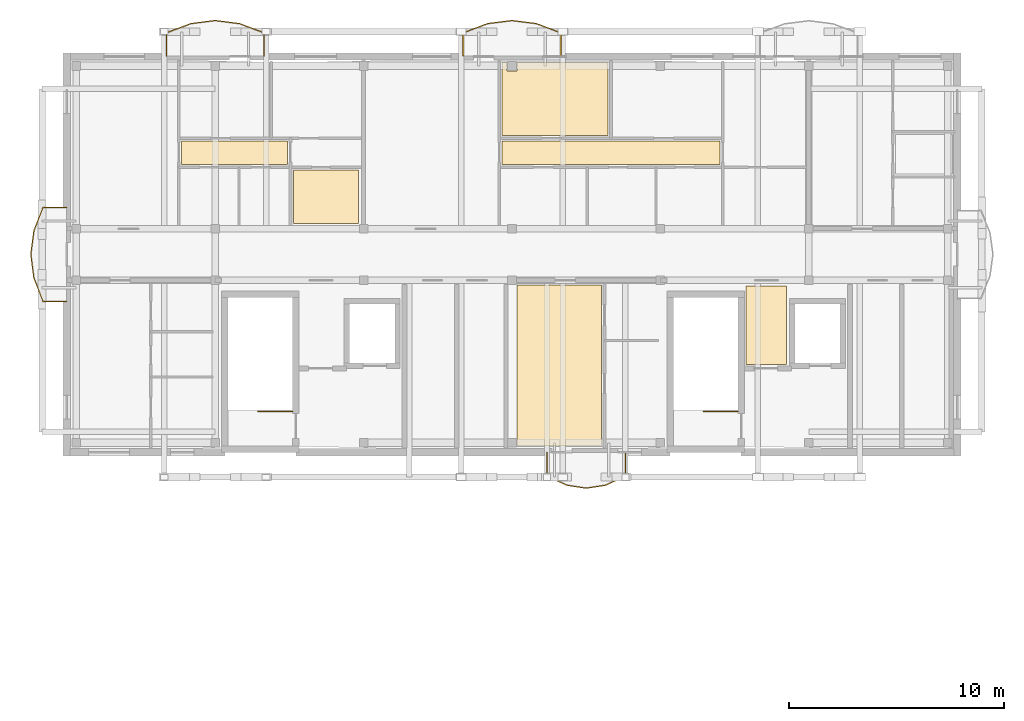
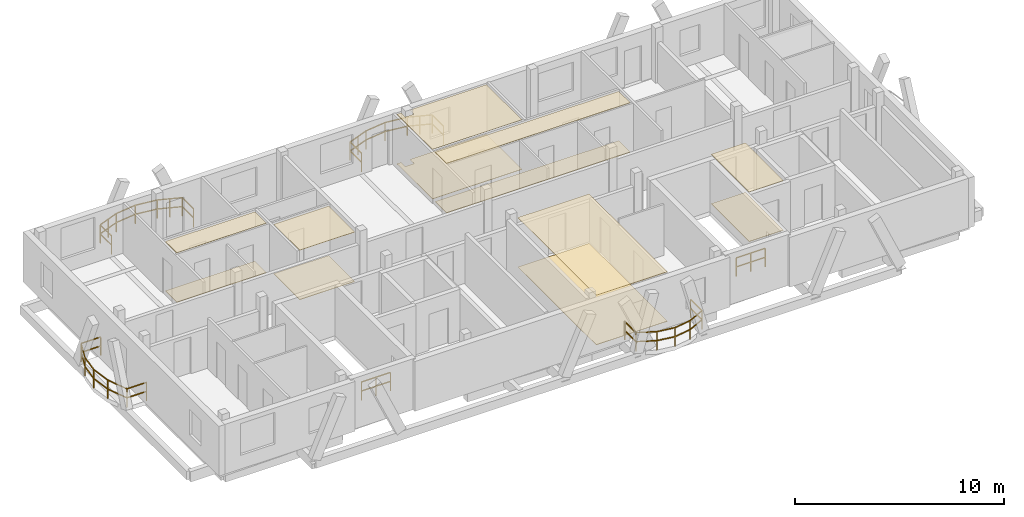
# One storey, part 17 of 18: 12 coverings, 6 railings.
"""IFC4 building model written with IfcOpenShell, lengths in metres."""

from ifc_helpers import new_model, si_unit, direction, frame, origin, origin_2d, place, context, subcontext, project, spatial, polyline, rectangle, outline, extrude, material, layer, layer_set, type_object, element, save


model = new_model("IFC4")

# Units and contexts
model_context = context("Model", 3, precision=1e-05, world=origin(), true_north=direction((0.0, 1.0)))
body_context = subcontext(model_context, "Body", "Model", "MODEL_VIEW")
ifc_project = project(units=[si_unit("LENGTHUNIT", "METRE"), si_unit("AREAUNIT", "SQUARE_METRE"), si_unit("VOLUMEUNIT", "CUBIC_METRE"), si_unit("PLANEANGLEUNIT", "RADIAN"), si_unit("MASSUNIT", "GRAM", prefix="KILO")], contexts=[model_context])

# Site, building, storey
site_placement = place(None, origin())
site = spatial("IfcSite", under=ifc_project, at=site_placement, CompositionType="ELEMENT")
building_placement = place(site_placement, origin())
building = spatial("IfcBuilding", under=site, at=building_placement, Name="Zavelmont Quarter", CompositionType="ELEMENT")
storey_placement = place(building_placement, frame((0.0, 0.0, 40.0)))
storey = spatial("IfcBuildingStorey", under=building, at=storey_placement, Name="L12", CompositionType="ELEMENT", Elevation=40.0)

# Coverings
ifc_material_1 = material(Name="Perforated acoustic gypsum board")
ifc_layer_1 = layer(ifc_material_1, 0.02490234375)
ifc_layer_set_1 = layer_set([ifc_layer_1], Name="Perforated acoustic gypsum board")
covering_type_1 = type_object("IfcCoveringType", Name="CV-CL01", PredefinedType="CEILING", material=ifc_layer_set_1)
covering_1_placement = place(storey_placement, frame((0.0, 0.0, 2.885009765625)))
element("IfcCovering", 1, at=covering_1_placement, inside=storey, type_object=covering_type_1, Name="L12 Lobby Vestibule acoustic ceiling", PredefinedType="CEILING", context=body_context, shape_type="SweptSolid", body=[
    extrude(outline(polyline([(31.580078125, 105.320068359375), (33.469970703125, 105.320068359375), (33.469970703125, 101.679931640625), (31.580078125, 101.679931640625), (31.580078125, 105.320068359375)])), origin(), (0.0, 0.0, 1.0), 0.02490234375),
])
covering_2_placement = place(storey_placement, frame((0.0, 0.0, 2.885009765625)))
element("IfcCovering", 2, at=covering_2_placement, inside=storey, type_object=covering_type_1, Name="L12 Single Bedroom acoustic ceiling", PredefinedType="CEILING", context=body_context, shape_type="SweptSolid", body=[
    extrude(outline(polyline([(20.22998046875, 115.719970703125), (20.4599609375, 115.719970703125), (20.4599609375, 115.320068359375), (20.93994140625, 115.320068359375), (20.93994140625, 115.719970703125), (25.169921875, 115.719970703125), (25.169921875, 112.330078125), (20.22998046875, 112.330078125), (20.22998046875, 115.719970703125)])), origin(), (0.0, 0.0, 1.0), 0.02490234375),
])
covering_3_placement = place(storey_placement, frame((0.0, 0.0, 2.885009765625)))
element("IfcCovering", 3, at=covering_3_placement, inside=storey, type_object=covering_type_1, Name="L12 Residents Study Lounge acoustic ceiling", PredefinedType="CEILING", context=body_context, shape_type="SweptSolid", body=[
    extrude(outline(polyline([(20.929931640625, 105.360107421875), (20.93994140625, 105.360107421875), (20.93994140625, 105.3701171875), (24.8701171875, 105.3701171875), (24.8701171875, 97.8798828125), (20.93994140625, 97.8798828125), (20.93994140625, 98.280029296875), (20.929931640625, 98.280029296875), (20.929931640625, 105.360107421875)])), origin(), (0.0, 0.0, 1.0), 0.02490234375),
])
ifc_material_2 = material(Name="Slatted European ash acoustic baffle ceiling")
ifc_layer_2 = layer(ifc_material_2, 0.0400390625)
ifc_layer_set_2 = layer_set([ifc_layer_2], Name="Slatted European ash acoustic baffle ceiling")
covering_type_2 = type_object("IfcCoveringType", Name="CV-CL02", PredefinedType="CEILING", material=ifc_layer_set_2)
covering_4_placement = place(storey_placement, frame((0.0, 0.0, 2.8701171875)))
element("IfcCovering", 4, at=covering_4_placement, inside=storey, type_object=covering_type_2, Name="L12 Apartment Hall acoustic ceiling", PredefinedType="CEILING", context=body_context, shape_type="SweptSolid", body=[
    extrude(outline(polyline([(5.330078125, 112.070068359375), (10.27001953125, 112.070068359375), (10.27001953125, 110.97998046875), (5.330078125, 110.97998046875), (5.330078125, 112.070068359375)])), origin(), (0.0, 0.0, 1.0), 0.039794921875),
])
covering_5_placement = place(storey_placement, frame((0.0, 0.0, 2.8701171875)))
element("IfcCovering", 5, at=covering_5_placement, inside=storey, type_object=covering_type_2, Name="L12 Apartment Hall acoustic ceiling", PredefinedType="CEILING", context=body_context, shape_type="SweptSolid", body=[
    extrude(outline(polyline([(20.22998046875, 112.070068359375), (30.3701171875, 112.070068359375), (30.3701171875, 110.97998046875), (20.22998046875, 110.97998046875), (20.22998046875, 112.070068359375)])), origin(), (0.0, 0.0, 1.0), 0.039794921875),
])
ifc_material_3 = material(Name="Moisture-resistant painted gypsum ceiling")
ifc_layer_3 = layer(ifc_material_3, 0.02001953125)
ifc_layer_set_3 = layer_set([ifc_layer_3], Name="Moisture-resistant painted gypsum ceiling")
covering_type_3 = type_object("IfcCoveringType", Name="CV-CL04", PredefinedType="CEILING", material=ifc_layer_set_3)
covering_6_placement = place(storey_placement, frame((0.0, 0.0, 2.889892578125)))
element("IfcCovering", 6, at=covering_6_placement, inside=storey, type_object=covering_type_3, Name="L12 Bathroom acoustic ceiling", PredefinedType="CEILING", context=body_context, shape_type="SweptSolid", body=[
    extrude(outline(polyline([(10.530029296875, 110.719970703125), (13.570068359375, 110.719970703125), (13.570068359375, 108.239990234375), (13.56005859375, 108.239990234375), (13.56005859375, 108.22998046875), (10.530029296875, 108.22998046875), (10.530029296875, 110.719970703125)])), origin(), (0.0, 0.0, 1.0), 0.02001953125),
])
ifc_material_4 = material(Name="Engineered European oak parquet")
ifc_layer_4 = layer(ifc_material_4, 0.02197265625)
ifc_layer_set_4 = layer_set([ifc_layer_4], Name="Engineered European oak parquet")
covering_type_4 = type_object("IfcCoveringType", Name="CV-FL01", PredefinedType="FLOORING", material=ifc_layer_set_4)
covering_7_placement = place(storey_placement, origin())
element("IfcCovering", 7, at=covering_7_placement, inside=storey, type_object=covering_type_4, Name="L12 Lobby Vestibule floor finish", PredefinedType="FLOORING", context=body_context, shape_type="SweptSolid", body=[
    extrude(outline(polyline([(31.580078125, 105.320068359375), (33.469970703125, 105.320068359375), (33.469970703125, 101.679931640625), (31.580078125, 101.679931640625), (31.580078125, 105.320068359375)])), origin(), (0.0, 0.0, 1.0), 0.02197265625),
])
covering_8_placement = place(storey_placement, origin())
element("IfcCovering", 8, at=covering_8_placement, inside=storey, type_object=covering_type_4, Name="L12 Single Bedroom floor finish", PredefinedType="FLOORING", context=body_context, shape_type="SweptSolid", body=[
    extrude(outline(polyline([(20.22998046875, 115.719970703125), (20.4599609375, 115.719970703125), (20.4599609375, 115.320068359375), (20.93994140625, 115.320068359375), (20.93994140625, 115.719970703125), (25.169921875, 115.719970703125), (25.169921875, 112.330078125), (20.22998046875, 112.330078125), (20.22998046875, 115.719970703125)])), origin(), (0.0, 0.0, 1.0), 0.02197265625),
])
covering_9_placement = place(storey_placement, origin())
element("IfcCovering", 9, at=covering_9_placement, inside=storey, type_object=covering_type_4, Name="L12 Residents Study Lounge floor finish", PredefinedType="FLOORING", context=body_context, shape_type="SweptSolid", body=[
    extrude(outline(polyline([(20.929931640625, 105.360107421875), (20.93994140625, 105.360107421875), (20.93994140625, 105.3701171875), (24.8701171875, 105.3701171875), (24.8701171875, 97.8798828125), (20.93994140625, 97.8798828125), (20.93994140625, 98.280029296875), (20.929931640625, 98.280029296875), (20.929931640625, 105.360107421875)])), origin(), (0.0, 0.0, 1.0), 0.02197265625),
])
ifc_material_5 = material(Name="Honed Belgian bluestone tile", Category="masonry")
ifc_layer_5 = layer(ifc_material_5, 0.030029296875)
ifc_layer_set_5 = layer_set([ifc_layer_5], Name="Honed Belgian bluestone tile")
covering_type_5 = type_object("IfcCoveringType", Name="CV-FL02", PredefinedType="FLOORING", material=ifc_layer_set_5)
covering_10_placement = place(storey_placement, origin())
element("IfcCovering", 10, at=covering_10_placement, inside=storey, type_object=covering_type_5, Name="L12 Apartment Hall floor finish", PredefinedType="FLOORING", context=body_context, shape_type="SweptSolid", body=[
    extrude(outline(polyline([(5.330078125, 112.070068359375), (10.27001953125, 112.070068359375), (10.27001953125, 110.97998046875), (5.330078125, 110.97998046875), (5.330078125, 112.070068359375)])), origin(), (0.0, 0.0, 1.0), 0.030029296875),
])
covering_11_placement = place(storey_placement, origin())
element("IfcCovering", 11, at=covering_11_placement, inside=storey, type_object=covering_type_5, Name="L12 Apartment Hall floor finish", PredefinedType="FLOORING", context=body_context, shape_type="SweptSolid", body=[
    extrude(outline(polyline([(20.22998046875, 112.070068359375), (30.3701171875, 112.070068359375), (30.3701171875, 110.97998046875), (20.22998046875, 110.97998046875), (20.22998046875, 112.070068359375)])), origin(), (0.0, 0.0, 1.0), 0.030029296875),
])
ifc_material_6 = material(Name="Slip-resistant porcelain tile")
ifc_layer_6 = layer(ifc_material_6, 0.02587890625)
ifc_layer_set_6 = layer_set([ifc_layer_6], Name="Slip-resistant porcelain tile")
covering_type_6 = type_object("IfcCoveringType", Name="CV-FL04", PredefinedType="FLOORING", material=ifc_layer_set_6)
covering_12_placement = place(storey_placement, origin())
element("IfcCovering", 12, at=covering_12_placement, inside=storey, type_object=covering_type_6, Name="L12 Bathroom floor finish", PredefinedType="FLOORING", context=body_context, shape_type="SweptSolid", body=[
    extrude(outline(polyline([(10.530029296875, 110.719970703125), (13.570068359375, 110.719970703125), (13.570068359375, 108.239990234375), (13.56005859375, 108.239990234375), (13.56005859375, 108.22998046875), (10.530029296875, 108.22998046875), (10.530029296875, 110.719970703125)])), origin(), (0.0, 0.0, 1.0), 0.02587890625),
])

# Railings
ifc_material_7 = material(Name="Powder-coated steel and tempered double safety glass", Category="steel")
railing_type_1 = type_object("IfcRailingType", Name="RL-BAL1", PredefinedType="BALUSTRADE", material=ifc_material_7)
railing_1_placement = place(storey_placement, frame((9.16650390625, 116.02001953125, 0.0)))
element("IfcRailing", 13, at=railing_1_placement, inside=storey, type_object=railing_type_1, Name="L12 Block B curved balcony guard RL-BAL1", PredefinedType="BALUSTRADE", context=body_context, shape_type="SweptSolid", body=[
    extrude(rectangle(XDim=0.048095703125, YDim=0.048095703125, at=origin_2d()), frame((0.0, 0.0, 1.076171875), z_axis=(0.0, 1.0, 0.0), x_axis=(-1.0, 0.0, 0.0)), (0.0, 0.0, 1.0), 1.080078125),
    extrude(rectangle(XDim=0.048095703125, YDim=0.048095703125, at=origin_2d()), frame((0.0, 0.0, 0.550048828125), z_axis=(0.0, 1.0, 0.0), x_axis=(-1.0, 0.0, 0.0)), (0.0, 0.0, 1.0), 1.080078125),
    extrude(rectangle(XDim=0.048095703125, YDim=0.048095703125, at=origin_2d()), frame((0.0, 1.080078125, 1.076171875), z_axis=(-0.935048188903, 0.354520640342, 0.0), x_axis=(-0.354520640342, -0.935048188903, 0.0)), (0.0, 0.0, 1.0), 1.2119140625),
    extrude(rectangle(XDim=0.048095703125, YDim=0.048095703125, at=origin_2d()), frame((0.0, 1.080078125, 0.550048828125), z_axis=(-0.935048188903, 0.354520640342, 0.0), x_axis=(-0.354520640342, -0.935048188903, 0.0)), (0.0, 0.0, 1.0), 1.2119140625),
    extrude(rectangle(XDim=0.048095703125, YDim=0.048095703125, at=origin_2d()), frame((-1.13330078125, 1.509765625, 1.076171875), z_axis=(-0.992099306069, 0.12545503935, 0.0), x_axis=(-0.12545503935, -0.992099306069, 0.0)), (0.0, 0.0, 1.0), 1.142333984375),
    extrude(rectangle(XDim=0.048095703125, YDim=0.048095703125, at=origin_2d()), frame((-1.13330078125, 1.509765625, 0.550048828125), z_axis=(-0.992099306069, 0.12545503935, 0.0), x_axis=(-0.12545503935, -0.992099306069, 0.0)), (0.0, 0.0, 1.0), 1.142333984375),
    extrude(rectangle(XDim=0.048095703125, YDim=0.048095703125, at=origin_2d()), frame((-2.2666015625, 1.653076171875, 1.076171875), z_axis=(-0.992095941229, -0.125481645659, 0.0), x_axis=(0.125481645659, -0.992095941229, 0.0)), (0.0, 0.0, 1.0), 1.14208984375),
    extrude(rectangle(XDim=0.048095703125, YDim=0.048095703125, at=origin_2d()), frame((-2.2666015625, 1.653076171875, 0.550048828125), z_axis=(-0.992095941229, -0.125481645659, 0.0), x_axis=(0.125481645659, -0.992095941229, 0.0)), (0.0, 0.0, 1.0), 1.14208984375),
    extrude(rectangle(XDim=0.048095703125, YDim=0.048095703125, at=origin_2d()), frame((-3.399658203125, 1.509765625, 1.076171875), z_axis=(-0.935048188903, -0.354520640342, 0.0), x_axis=(0.354520640342, -0.935048188903, 0.0)), (0.0, 0.0, 1.0), 1.2119140625),
    extrude(rectangle(XDim=0.048095703125, YDim=0.048095703125, at=origin_2d()), frame((-3.399658203125, 1.509765625, 0.550048828125), z_axis=(-0.935048188903, -0.354520640342, 0.0), x_axis=(0.354520640342, -0.935048188903, 0.0)), (0.0, 0.0, 1.0), 1.2119140625),
    extrude(rectangle(XDim=0.048095703125, YDim=0.048095703125, at=origin_2d()), frame((-4.532958984375, 1.080078125, 1.076171875), z_axis=(0.0, -1.0, 0.0), x_axis=(1.0, 0.0, 0.0)), (0.0, 0.0, 1.0), 1.080078125),
    extrude(rectangle(XDim=0.048095703125, YDim=0.048095703125, at=origin_2d()), frame((-4.532958984375, 1.080078125, 0.550048828125), z_axis=(0.0, -1.0, 0.0), x_axis=(1.0, 0.0, 0.0)), (0.0, 0.0, 1.0), 1.080078125),
    extrude(rectangle(XDim=0.0419921875, YDim=0.0419921875, at=origin_2d()), origin(), (0.0, 0.0, 1.0), 1.052001953125),
    extrude(rectangle(XDim=0.0419921875, YDim=0.0419921875, at=origin_2d()), frame((0.0, 1.080078125, 0.0)), (0.0, 0.0, 1.0), 1.052001953125),
    extrude(rectangle(XDim=0.0419921875, YDim=0.0419921875, at=origin_2d()), frame((-0.566650390625, 1.294921875, 0.0)), (0.0, 0.0, 1.0), 1.052001953125),
    extrude(rectangle(XDim=0.0419921875, YDim=0.0419921875, at=origin_2d()), frame((-1.13330078125, 1.509765625, 0.0)), (0.0, 0.0, 1.0), 1.052001953125),
    extrude(rectangle(XDim=0.0419921875, YDim=0.0419921875, at=origin_2d()), frame((-2.2666015625, 1.653076171875, 0.0)), (0.0, 0.0, 1.0), 1.052001953125),
    extrude(rectangle(XDim=0.0419921875, YDim=0.0419921875, at=origin_2d()), frame((-3.399658203125, 1.509765625, 0.0)), (0.0, 0.0, 1.0), 1.052001953125),
    extrude(rectangle(XDim=0.0419921875, YDim=0.0419921875, at=origin_2d()), frame((-3.96630859375, 1.294921875, 0.0)), (0.0, 0.0, 1.0), 1.052001953125),
    extrude(rectangle(XDim=0.0419921875, YDim=0.0419921875, at=origin_2d()), frame((-4.532958984375, 1.080078125, 0.0)), (0.0, 0.0, 1.0), 1.052001953125),
    extrude(rectangle(XDim=0.0419921875, YDim=0.0419921875, at=origin_2d()), frame((-4.532958984375, 0.0, 0.0)), (0.0, 0.0, 1.0), 1.052001953125),
])
railing_2_placement = place(storey_placement, frame((22.96630859375, 116.02001953125, 0.0)))
element("IfcRailing", 14, at=railing_2_placement, inside=storey, type_object=railing_type_1, Name="L12 Block B curved balcony guard RL-BAL1", PredefinedType="BALUSTRADE", context=body_context, shape_type="SweptSolid", body=[
    extrude(rectangle(XDim=0.048095703125, YDim=0.048095703125, at=origin_2d()), frame((0.0, 0.0, 1.076171875), z_axis=(0.0, 1.0, 0.0), x_axis=(-1.0, 0.0, 0.0)), (0.0, 0.0, 1.0), 1.080078125),
    extrude(rectangle(XDim=0.048095703125, YDim=0.048095703125, at=origin_2d()), frame((0.0, 0.0, 0.550048828125), z_axis=(0.0, 1.0, 0.0), x_axis=(-1.0, 0.0, 0.0)), (0.0, 0.0, 1.0), 1.080078125),
    extrude(rectangle(XDim=0.048095703125, YDim=0.048095703125, at=origin_2d()), frame((0.0, 1.080078125, 1.076171875), z_axis=(-0.935022864768, 0.354587425553, 0.0), x_axis=(-0.354587425553, -0.935022864768, 0.0)), (0.0, 0.0, 1.0), 1.2119140625),
    extrude(rectangle(XDim=0.048095703125, YDim=0.048095703125, at=origin_2d()), frame((0.0, 1.080078125, 0.550048828125), z_axis=(-0.935022864768, 0.354587425553, 0.0), x_axis=(-0.354587425553, -0.935022864768, 0.0)), (0.0, 0.0, 1.0), 1.2119140625),
    extrude(rectangle(XDim=0.048095703125, YDim=0.048095703125, at=origin_2d()), frame((-1.133056640625, 1.509765625, 1.076171875), z_axis=(-0.992099306069, 0.12545503935, 0.0), x_axis=(-0.12545503935, -0.992099306069, 0.0)), (0.0, 0.0, 1.0), 1.142333984375),
    extrude(rectangle(XDim=0.048095703125, YDim=0.048095703125, at=origin_2d()), frame((-1.133056640625, 1.509765625, 0.550048828125), z_axis=(-0.992099306069, 0.12545503935, 0.0), x_axis=(-0.12545503935, -0.992099306069, 0.0)), (0.0, 0.0, 1.0), 1.142333984375),
    extrude(rectangle(XDim=0.048095703125, YDim=0.048095703125, at=origin_2d()), frame((-2.266357421875, 1.653076171875, 1.076171875), z_axis=(-0.992095941229, -0.125481645659, 0.0), x_axis=(0.125481645659, -0.992095941229, 0.0)), (0.0, 0.0, 1.0), 1.14208984375),
    extrude(rectangle(XDim=0.048095703125, YDim=0.048095703125, at=origin_2d()), frame((-2.266357421875, 1.653076171875, 0.550048828125), z_axis=(-0.992095941229, -0.125481645659, 0.0), x_axis=(0.125481645659, -0.992095941229, 0.0)), (0.0, 0.0, 1.0), 1.14208984375),
    extrude(rectangle(XDim=0.048095703125, YDim=0.048095703125, at=origin_2d()), frame((-3.3994140625, 1.509765625, 1.076171875), z_axis=(-0.935048188903, -0.354520640342, 0.0), x_axis=(0.354520640342, -0.935048188903, 0.0)), (0.0, 0.0, 1.0), 1.2119140625),
    extrude(rectangle(XDim=0.048095703125, YDim=0.048095703125, at=origin_2d()), frame((-3.3994140625, 1.509765625, 0.550048828125), z_axis=(-0.935048188903, -0.354520640342, 0.0), x_axis=(0.354520640342, -0.935048188903, 0.0)), (0.0, 0.0, 1.0), 1.2119140625),
    extrude(rectangle(XDim=0.048095703125, YDim=0.048095703125, at=origin_2d()), frame((-4.53271484375, 1.080078125, 1.076171875), z_axis=(0.0, -1.0, 0.0), x_axis=(1.0, 0.0, 0.0)), (0.0, 0.0, 1.0), 1.080078125),
    extrude(rectangle(XDim=0.048095703125, YDim=0.048095703125, at=origin_2d()), frame((-4.53271484375, 1.080078125, 0.550048828125), z_axis=(0.0, -1.0, 0.0), x_axis=(1.0, 0.0, 0.0)), (0.0, 0.0, 1.0), 1.080078125),
    extrude(rectangle(XDim=0.0419921875, YDim=0.0419921875, at=origin_2d()), origin(), (0.0, 0.0, 1.0), 1.052001953125),
    extrude(rectangle(XDim=0.0419921875, YDim=0.0419921875, at=origin_2d()), frame((0.0, 1.080078125, 0.0)), (0.0, 0.0, 1.0), 1.052001953125),
    extrude(rectangle(XDim=0.0419921875, YDim=0.0419921875, at=origin_2d()), frame((-0.56640625, 1.294921875, 0.0)), (0.0, 0.0, 1.0), 1.052001953125),
    extrude(rectangle(XDim=0.0419921875, YDim=0.0419921875, at=origin_2d()), frame((-1.133056640625, 1.509765625, 0.0)), (0.0, 0.0, 1.0), 1.052001953125),
    extrude(rectangle(XDim=0.0419921875, YDim=0.0419921875, at=origin_2d()), frame((-2.266357421875, 1.653076171875, 0.0)), (0.0, 0.0, 1.0), 1.052001953125),
    extrude(rectangle(XDim=0.0419921875, YDim=0.0419921875, at=origin_2d()), frame((-3.3994140625, 1.509765625, 0.0)), (0.0, 0.0, 1.0), 1.052001953125),
    extrude(rectangle(XDim=0.0419921875, YDim=0.0419921875, at=origin_2d()), frame((-3.966064453125, 1.294921875, 0.0)), (0.0, 0.0, 1.0), 1.052001953125),
    extrude(rectangle(XDim=0.0419921875, YDim=0.0419921875, at=origin_2d()), frame((-4.53271484375, 1.080078125, 0.0)), (0.0, 0.0, 1.0), 1.052001953125),
    extrude(rectangle(XDim=0.0419921875, YDim=0.0419921875, at=origin_2d()), frame((-4.53271484375, 0.0, 0.0)), (0.0, 0.0, 1.0), 1.052001953125),
])
railing_3_placement = place(storey_placement, frame((-0.02001953125, 108.98583984375, 0.0)))
element("IfcRailing", 15, at=railing_3_placement, inside=storey, type_object=railing_type_1, Name="L12 Block B curved balcony guard RL-BAL1", PredefinedType="BALUSTRADE", context=body_context, shape_type="SweptSolid", body=[
    extrude(rectangle(XDim=0.048095703125, YDim=0.048095703125, at=origin_2d()), frame((0.0, 0.0, 1.076171875), z_axis=(-1.0, 0.0, 0.0), x_axis=(0.0, -1.0, 0.0)), (0.0, 0.0, 1.0), 1.080078125),
    extrude(rectangle(XDim=0.048095703125, YDim=0.048095703125, at=origin_2d()), frame((0.0, 0.0, 0.550048828125), z_axis=(-1.0, 0.0, 0.0), x_axis=(0.0, -1.0, 0.0)), (0.0, 0.0, 1.0), 1.080078125),
    extrude(rectangle(XDim=0.048095703125, YDim=0.048095703125, at=origin_2d()), frame((-1.080078125, 0.0, 1.076171875), z_axis=(-0.365864604814, -0.930668088496, 0.0), x_axis=(0.930668088496, -0.365864604814, 0.0)), (0.0, 0.0, 1.0), 1.174560546875),
    extrude(rectangle(XDim=0.048095703125, YDim=0.048095703125, at=origin_2d()), frame((-1.080078125, 0.0, 0.550048828125), z_axis=(-0.365864604814, -0.930668088496, 0.0), x_axis=(0.930668088496, -0.365864604814, 0.0)), (0.0, 0.0, 1.0), 1.174560546875),
    extrude(rectangle(XDim=0.048095703125, YDim=0.048095703125, at=origin_2d()), frame((-1.509765625, -1.093017578125, 1.076171875), z_axis=(-0.130030466777, -0.991509998795, 0.0), x_axis=(0.991509998795, -0.130030466777, 0.0)), (0.0, 0.0, 1.0), 1.10205078125),
    extrude(rectangle(XDim=0.048095703125, YDim=0.048095703125, at=origin_2d()), frame((-1.509765625, -1.093017578125, 0.550048828125), z_axis=(-0.130030466777, -0.991509998795, 0.0), x_axis=(0.991509998795, -0.130030466777, 0.0)), (0.0, 0.0, 1.0), 1.10205078125),
    extrude(rectangle(XDim=0.048095703125, YDim=0.048095703125, at=origin_2d()), frame((-1.653076171875, -2.185791015625, 1.076171875), z_axis=(0.130001913584, -0.991513742953, 0.0), x_axis=(0.991513742953, 0.130001913584, 0.0)), (0.0, 0.0, 1.0), 1.102294921875),
    extrude(rectangle(XDim=0.048095703125, YDim=0.048095703125, at=origin_2d()), frame((-1.653076171875, -2.185791015625, 0.550048828125), z_axis=(0.130001913584, -0.991513742953, 0.0), x_axis=(0.991513742953, 0.130001913584, 0.0)), (0.0, 0.0, 1.0), 1.102294921875),
    extrude(rectangle(XDim=0.048095703125, YDim=0.048095703125, at=origin_2d()), frame((-1.509765625, -3.27880859375, 1.076171875), z_axis=(0.365935399471, -0.930640254564, 0.0), x_axis=(0.930640254564, 0.365935399471, 0.0)), (0.0, 0.0, 1.0), 1.17431640625),
    extrude(rectangle(XDim=0.048095703125, YDim=0.048095703125, at=origin_2d()), frame((-1.509765625, -3.27880859375, 0.550048828125), z_axis=(0.365935399471, -0.930640254564, 0.0), x_axis=(0.930640254564, 0.365935399471, 0.0)), (0.0, 0.0, 1.0), 1.17431640625),
    extrude(rectangle(XDim=0.048095703125, YDim=0.048095703125, at=origin_2d()), frame((-1.080078125, -4.37158203125, 1.076171875), z_axis=(1.0, 0.0, 0.0), x_axis=(0.0, 1.0, 0.0)), (0.0, 0.0, 1.0), 1.080078125),
    extrude(rectangle(XDim=0.048095703125, YDim=0.048095703125, at=origin_2d()), frame((-1.080078125, -4.37158203125, 0.550048828125), z_axis=(1.0, 0.0, 0.0), x_axis=(0.0, 1.0, 0.0)), (0.0, 0.0, 1.0), 1.080078125),
    extrude(rectangle(XDim=0.0419921875, YDim=0.0419921875, at=origin_2d()), origin(), (0.0, 0.0, 1.0), 1.052001953125),
    extrude(rectangle(XDim=0.0419921875, YDim=0.0419921875, at=origin_2d()), frame((-1.080078125, 0.0, 0.0)), (0.0, 0.0, 1.0), 1.052001953125),
    extrude(rectangle(XDim=0.0419921875, YDim=0.0419921875, at=origin_2d()), frame((-1.509765625, -1.093017578125, 0.0)), (0.0, 0.0, 1.0), 1.052001953125),
    extrude(rectangle(XDim=0.0419921875, YDim=0.0419921875, at=origin_2d()), frame((-1.653076171875, -2.185791015625, 0.0)), (0.0, 0.0, 1.0), 1.052001953125),
    extrude(rectangle(XDim=0.0419921875, YDim=0.0419921875, at=origin_2d()), frame((-1.509765625, -3.27880859375, 0.0)), (0.0, 0.0, 1.0), 1.052001953125),
    extrude(rectangle(XDim=0.0419921875, YDim=0.0419921875, at=origin_2d()), frame((-1.080078125, -4.37158203125, 0.0)), (0.0, 0.0, 1.0), 1.052001953125),
    extrude(rectangle(XDim=0.0419921875, YDim=0.0419921875, at=origin_2d()), frame((0.0, -4.37158203125, 0.0)), (0.0, 0.0, 1.0), 1.052001953125),
])
railing_4_placement = place(storey_placement, frame((22.328369140625, 97.580078125, 0.0)))
element("IfcRailing", 16, at=railing_4_placement, inside=storey, type_object=railing_type_1, Name="L12 Block B curved balcony guard RL-BAL1", PredefinedType="BALUSTRADE", context=body_context, shape_type="SweptSolid", body=[
    extrude(rectangle(XDim=0.048095703125, YDim=0.048095703125, at=origin_2d()), frame((0.0, 0.0, 1.076171875), z_axis=(0.0, -1.0, 0.0), x_axis=(1.0, 0.0, 0.0)), (0.0, 0.0, 1.0), 1.080078125),
    extrude(rectangle(XDim=0.048095703125, YDim=0.048095703125, at=origin_2d()), frame((0.0, 0.0, 0.550048828125), z_axis=(0.0, -1.0, 0.0), x_axis=(1.0, 0.0, 0.0)), (0.0, 0.0, 1.0), 1.080078125),
    extrude(rectangle(XDim=0.048095703125, YDim=0.048095703125, at=origin_2d()), frame((0.0, -1.080078125, 1.076171875), z_axis=(0.904422768512, -0.426637382091, 0.0), x_axis=(0.426637382091, 0.904422768512, 0.0)), (0.0, 0.0, 1.0), 1.007080078125),
    extrude(rectangle(XDim=0.048095703125, YDim=0.048095703125, at=origin_2d()), frame((0.0, -1.080078125, 0.550048828125), z_axis=(0.904422768512, -0.426637382091, 0.0), x_axis=(0.426637382091, 0.904422768512, 0.0)), (0.0, 0.0, 1.0), 1.007080078125),
    extrude(rectangle(XDim=0.048095703125, YDim=0.048095703125, at=origin_2d()), frame((0.910888671875, -1.509765625, 1.076171875), z_axis=(0.987842288283, -0.155459362794, 0.0), x_axis=(0.155459362794, 0.987842288283, 0.0)), (0.0, 0.0, 1.0), 0.921875),
    extrude(rectangle(XDim=0.048095703125, YDim=0.048095703125, at=origin_2d()), frame((0.910888671875, -1.509765625, 0.550048828125), z_axis=(0.987842288283, -0.155459362794, 0.0), x_axis=(0.155459362794, 0.987842288283, 0.0)), (0.0, 0.0, 1.0), 0.921875),
    extrude(rectangle(XDim=0.048095703125, YDim=0.048095703125, at=origin_2d()), frame((1.821533203125, -1.653076171875, 1.076171875), z_axis=(0.987848686252, 0.155418702447, 0.0), x_axis=(-0.155418702447, 0.987848686252, 0.0)), (0.0, 0.0, 1.0), 0.922119140625),
    extrude(rectangle(XDim=0.048095703125, YDim=0.048095703125, at=origin_2d()), frame((1.821533203125, -1.653076171875, 0.550048828125), z_axis=(0.987848686252, 0.155418702447, 0.0), x_axis=(-0.155418702447, 0.987848686252, 0.0)), (0.0, 0.0, 1.0), 0.922119140625),
    extrude(rectangle(XDim=0.048095703125, YDim=0.048095703125, at=origin_2d()), frame((2.732421875, -1.509765625, 1.076171875), z_axis=(0.904422768512, 0.426637382091, 0.0), x_axis=(-0.426637382091, 0.904422768512, 0.0)), (0.0, 0.0, 1.0), 1.007080078125),
    extrude(rectangle(XDim=0.048095703125, YDim=0.048095703125, at=origin_2d()), frame((2.732421875, -1.509765625, 0.550048828125), z_axis=(0.904422768512, 0.426637382091, 0.0), x_axis=(-0.426637382091, 0.904422768512, 0.0)), (0.0, 0.0, 1.0), 1.007080078125),
    extrude(rectangle(XDim=0.048095703125, YDim=0.048095703125, at=origin_2d()), frame((3.643310546875, -1.080078125, 1.076171875), z_axis=(0.0, 1.0, 0.0), x_axis=(-1.0, 0.0, 0.0)), (0.0, 0.0, 1.0), 1.080078125),
    extrude(rectangle(XDim=0.048095703125, YDim=0.048095703125, at=origin_2d()), frame((3.643310546875, -1.080078125, 0.550048828125), z_axis=(0.0, 1.0, 0.0), x_axis=(-1.0, 0.0, 0.0)), (0.0, 0.0, 1.0), 1.080078125),
    extrude(rectangle(XDim=0.0419921875, YDim=0.0419921875, at=origin_2d()), origin(), (0.0, 0.0, 1.0), 1.052001953125),
    extrude(rectangle(XDim=0.0419921875, YDim=0.0419921875, at=origin_2d()), frame((0.0, -1.080078125, 0.0)), (0.0, 0.0, 1.0), 1.052001953125),
    extrude(rectangle(XDim=0.0419921875, YDim=0.0419921875, at=origin_2d()), frame((0.910888671875, -1.509765625, 0.0)), (0.0, 0.0, 1.0), 1.052001953125),
    extrude(rectangle(XDim=0.0419921875, YDim=0.0419921875, at=origin_2d()), frame((1.821533203125, -1.653076171875, 0.0)), (0.0, 0.0, 1.0), 1.052001953125),
    extrude(rectangle(XDim=0.0419921875, YDim=0.0419921875, at=origin_2d()), frame((2.732421875, -1.509765625, 0.0)), (0.0, 0.0, 1.0), 1.052001953125),
    extrude(rectangle(XDim=0.0419921875, YDim=0.0419921875, at=origin_2d()), frame((3.643310546875, -1.080078125, 0.0)), (0.0, 0.0, 1.0), 1.052001953125),
    extrude(rectangle(XDim=0.0419921875, YDim=0.0419921875, at=origin_2d()), frame((3.643310546875, 0.0, 0.0)), (0.0, 0.0, 1.0), 1.052001953125),
])
ifc_material_8 = material(Name="Powder-coated steel stair guardrail", Category="steel")
railing_type_2 = type_object("IfcRailingType", Name="RL-GRD1", PredefinedType="GUARDRAIL", material=ifc_material_8)
railing_5_placement = place(storey_placement, frame((10.5, 99.5, 0.0)))
element("IfcRailing", 17, at=railing_5_placement, inside=storey, type_object=railing_type_2, Name="L12 ST03 top well guardrail 1", PredefinedType="GUARDRAIL", context=body_context, shape_type="SweptSolid", body=[
    extrude(rectangle(XDim=0.048095703125, YDim=0.048095703125, at=origin_2d()), frame((0.0, 0.0, 1.076171875), z_axis=(-1.0, 0.0, 0.0), x_axis=(0.0, -1.0, 0.0)), (0.0, 0.0, 1.0), 1.60009765625),
    extrude(rectangle(XDim=0.048095703125, YDim=0.048095703125, at=origin_2d()), frame((0.0, 0.0, 0.550048828125), z_axis=(-1.0, 0.0, 0.0), x_axis=(0.0, -1.0, 0.0)), (0.0, 0.0, 1.0), 1.60009765625),
    extrude(rectangle(XDim=0.0419921875, YDim=0.0419921875, at=origin_2d()), origin(), (0.0, 0.0, 1.0), 1.052001953125),
    extrude(rectangle(XDim=0.0419921875, YDim=0.0419921875, at=origin_2d()), frame((-0.800048828125, 0.0, 0.0)), (0.0, 0.0, 1.0), 1.052001953125),
    extrude(rectangle(XDim=0.0419921875, YDim=0.0419921875, at=origin_2d()), frame((-1.60009765625, 0.0, 0.0)), (0.0, 0.0, 1.0), 1.052001953125),
])
railing_6_placement = place(storey_placement, frame((31.199951171875, 99.5, 0.0)))
element("IfcRailing", 18, at=railing_6_placement, inside=storey, type_object=railing_type_2, Name="L12 ST04 top well guardrail 1", PredefinedType="GUARDRAIL", context=body_context, shape_type="SweptSolid", body=[
    extrude(rectangle(XDim=0.048095703125, YDim=0.048095703125, at=origin_2d()), frame((0.0, 0.0, 1.076171875), z_axis=(-1.0, 0.0, 0.0), x_axis=(0.0, -1.0, 0.0)), (0.0, 0.0, 1.0), 1.599853515625),
    extrude(rectangle(XDim=0.048095703125, YDim=0.048095703125, at=origin_2d()), frame((0.0, 0.0, 0.550048828125), z_axis=(-1.0, 0.0, 0.0), x_axis=(0.0, -1.0, 0.0)), (0.0, 0.0, 1.0), 1.599853515625),
    extrude(rectangle(XDim=0.0419921875, YDim=0.0419921875, at=origin_2d()), origin(), (0.0, 0.0, 1.0), 1.052001953125),
    extrude(rectangle(XDim=0.0419921875, YDim=0.0419921875, at=origin_2d()), frame((-0.7998046875, 0.0, 0.0)), (0.0, 0.0, 1.0), 1.052001953125),
    extrude(rectangle(XDim=0.0419921875, YDim=0.0419921875, at=origin_2d()), frame((-1.599853515625, 0.0, 0.0)), (0.0, 0.0, 1.0), 1.052001953125),
])

save(model, "model.ifc")
